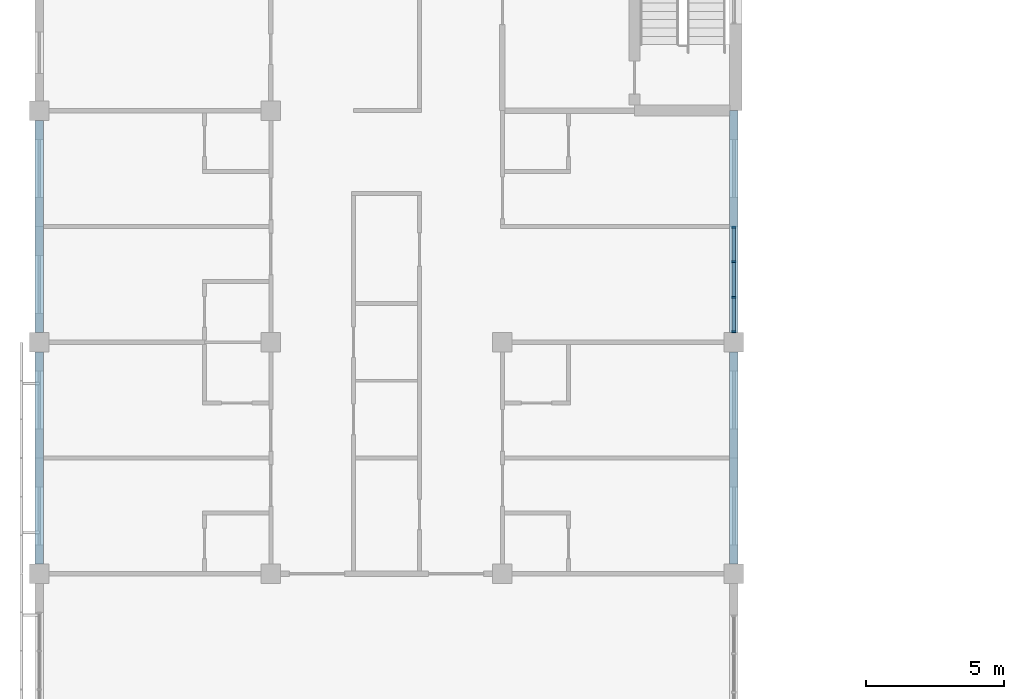
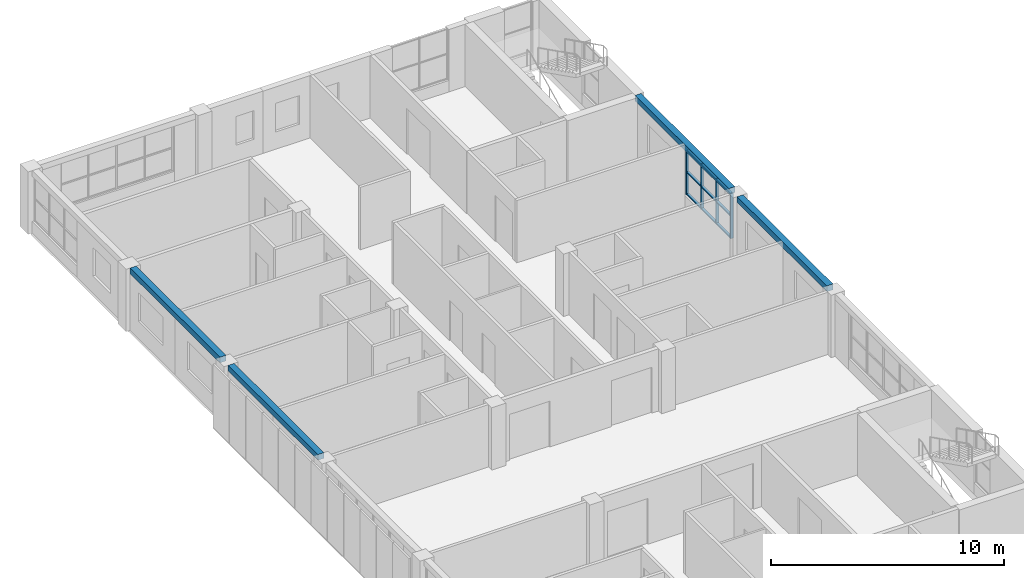
# One storey, part 17 of 61: 13 members, 4 beams, 1 element without a shape of its own.
"""IFC4 building model written with IfcOpenShell, lengths in metres."""

from ifc_helpers import new_model, si_unit, direction, frame, origin, origin_2d, place, context, subcontext, project, spatial, rectangle, extrude, material, material_profile, profile_set, type_object, element, aggregate, save


model = new_model("IFC4")

# Units and contexts
model_context = context("Model", 3, precision=1e-05, world=origin(), true_north=direction((0.0, 1.0)))
body_context = subcontext(model_context, "Body", "Model", "MODEL_VIEW")
ifc_project = project(units=[si_unit("LENGTHUNIT", "METRE"), si_unit("AREAUNIT", "SQUARE_METRE"), si_unit("VOLUMEUNIT", "CUBIC_METRE"), si_unit("PLANEANGLEUNIT", "RADIAN"), si_unit("MASSUNIT", "GRAM", prefix="KILO")], contexts=[model_context])

# Site, building, storey
site_placement = place(None, origin())
site = spatial("IfcSite", under=ifc_project, at=site_placement, CompositionType="ELEMENT")
building_placement = place(site_placement, origin())
building = spatial("IfcBuilding", under=site, at=building_placement, Name="Yavir Park General Hospital", CompositionType="ELEMENT")
storey_placement = place(building_placement, frame((0.0, 0.0, 15.300048828125)))
storey = spatial("IfcBuildingStorey", under=building, at=storey_placement, Name="L03", CompositionType="ELEMENT", Elevation=15.300048828125)

# Curtain wall, members
ifc_material_1 = material(Name="Aluminium curtain wall frame with insulated glazing", Category="aluminium")
curtain_wall_type = type_object("IfcCurtainWallType", Name="Day room pocket glazing, ward floors, 2360 high, 1400 module", PredefinedType="NOTDEFINED", material=ifc_material_1)
curtain_wall_placement = place(storey_placement, origin())
curtain_wall = element("IfcCurtainWall", 1, at=curtain_wall_placement, inside=storey, type_object=curtain_wall_type, Name="CW6 L03-027", PredefinedType="NOTDEFINED")
ifc_material_2 = material(Name="Aluminium", Category="aluminium")
ifc_material_profile_1 = material_profile(ifc_material_2, rectangle(XDim=0.139892578125, YDim=0.06005859375, at=origin_2d()), Name="AL 60x140")
ifc_profile_set_1 = profile_set([ifc_material_profile_1], Name="Aluminium")
member_type_1 = type_object("IfcMemberType", Name="Day room pocket glazing, ward floors, 2360 high mullion 60 x 140", PredefinedType="MULLION", material=ifc_profile_set_1)
member_1_placement = place(storey_placement, frame((25.199951171875, 101.179931640625, 0.599853515625), z_axis=(0.0, 0.0, 1.0), x_axis=(-1.0, 0.0, 0.0)))
member_1 = element("IfcMember", 2, at=member_1_placement, type_object=member_type_1, Name="CW6 mullion 1", PredefinedType="MULLION", context=body_context, shape_type="SweptSolid", body=[
    extrude(rectangle(XDim=0.139892578125, YDim=0.06005859375, at=origin_2d()), origin(), (0.0, 0.0, 1.0), 2.360107421875),
])
member_2_placement = place(storey_placement, frame((25.199951171875, 102.433349609375, 0.599853515625), z_axis=(0.0, 0.0, 1.0), x_axis=(-1.0, 0.0, 0.0)))
member_2 = element("IfcMember", 3, at=member_2_placement, type_object=member_type_1, Name="CW6 mullion 2", PredefinedType="MULLION", context=body_context, shape_type="SweptSolid", body=[
    extrude(rectangle(XDim=0.139892578125, YDim=0.06005859375, at=origin_2d()), origin(), (0.0, 0.0, 1.0), 2.360107421875),
])
member_3_placement = place(storey_placement, frame((25.199951171875, 103.716552734375, 0.599853515625), z_axis=(0.0, 0.0, 1.0), x_axis=(-1.0, 0.0, 0.0)))
member_3 = element("IfcMember", 4, at=member_3_placement, type_object=member_type_1, Name="CW6 mullion 3", PredefinedType="MULLION", context=body_context, shape_type="SweptSolid", body=[
    extrude(rectangle(XDim=0.139892578125, YDim=0.06005859375, at=origin_2d()), origin(), (0.0, 0.0, 1.0), 2.360107421875),
])
member_4_placement = place(storey_placement, frame((25.199951171875, 104.969970703125, 0.599853515625), z_axis=(0.0, 0.0, 1.0), x_axis=(-1.0, 0.0, 0.0)))
member_4 = element("IfcMember", 5, at=member_4_placement, type_object=member_type_1, Name="CW6 mullion 4", PredefinedType="MULLION", context=body_context, shape_type="SweptSolid", body=[
    extrude(rectangle(XDim=0.139892578125, YDim=0.06005859375, at=origin_2d()), origin(), (0.0, 0.0, 1.0), 2.360107421875),
])
ifc_material_3 = material(Name="Aluminium", Category="aluminium")
ifc_material_profile_2 = material_profile(ifc_material_3, rectangle(XDim=0.1201171875, YDim=0.06005859375, at=origin_2d()), Name="AL 120x60")
ifc_profile_set_2 = profile_set([ifc_material_profile_2], Name="Aluminium")
member_type_2 = type_object("IfcMemberType", Name="Day room pocket glazing, ward floors, 2360 high transom 60 x 120", PredefinedType="MULLION", material=ifc_profile_set_2)
member_5_placement = place(storey_placement, frame((25.199951171875, 101.2099609375, 0.6298828125), z_axis=(0.0, 1.0, 0.0), x_axis=(-1.0, 0.0, 0.0)))
member_5 = element("IfcMember", 6, at=member_5_placement, type_object=member_type_2, Name="CW6 transom 1.1", PredefinedType="MULLION", context=body_context, shape_type="SweptSolid", body=[
    extrude(rectangle(XDim=0.1201171875, YDim=0.06005859375, at=origin_2d()), origin(), (0.0, 0.0, 1.0), 1.193359375),
])
member_6_placement = place(storey_placement, frame((25.199951171875, 101.2099609375, 1.780029296875), z_axis=(0.0, 1.0, 0.0), x_axis=(-1.0, 0.0, 0.0)))
member_6 = element("IfcMember", 7, at=member_6_placement, type_object=member_type_2, Name="CW6 transom 1.2", PredefinedType="MULLION", context=body_context, shape_type="SweptSolid", body=[
    extrude(rectangle(XDim=0.1201171875, YDim=0.06005859375, at=origin_2d()), origin(), (0.0, 0.0, 1.0), 1.193359375),
])
member_7_placement = place(storey_placement, frame((25.199951171875, 101.2099609375, 2.929931640625), z_axis=(0.0, 1.0, 0.0), x_axis=(-1.0, 0.0, 0.0)))
member_7 = element("IfcMember", 8, at=member_7_placement, type_object=member_type_2, Name="CW6 transom 1.3", PredefinedType="MULLION", context=body_context, shape_type="SweptSolid", body=[
    extrude(rectangle(XDim=0.1201171875, YDim=0.06005859375, at=origin_2d()), origin(), (0.0, 0.0, 1.0), 1.193359375),
])
member_8_placement = place(storey_placement, frame((25.199951171875, 102.46337890625, 0.6298828125), z_axis=(0.0, 1.0, 0.0), x_axis=(-1.0, 0.0, 0.0)))
member_8 = element("IfcMember", 9, at=member_8_placement, type_object=member_type_2, Name="CW6 transom 2.1", PredefinedType="MULLION", context=body_context, shape_type="SweptSolid", body=[
    extrude(rectangle(XDim=0.1201171875, YDim=0.06005859375, at=origin_2d()), origin(), (0.0, 0.0, 1.0), 1.223388671875),
])
member_9_placement = place(storey_placement, frame((25.199951171875, 102.46337890625, 1.780029296875), z_axis=(0.0, 1.0, 0.0), x_axis=(-1.0, 0.0, 0.0)))
member_9 = element("IfcMember", 10, at=member_9_placement, type_object=member_type_2, Name="CW6 transom 2.2", PredefinedType="MULLION", context=body_context, shape_type="SweptSolid", body=[
    extrude(rectangle(XDim=0.1201171875, YDim=0.06005859375, at=origin_2d()), origin(), (0.0, 0.0, 1.0), 1.223388671875),
])
member_10_placement = place(storey_placement, frame((25.199951171875, 102.46337890625, 2.929931640625), z_axis=(0.0, 1.0, 0.0), x_axis=(-1.0, 0.0, 0.0)))
member_10 = element("IfcMember", 11, at=member_10_placement, type_object=member_type_2, Name="CW6 transom 2.3", PredefinedType="MULLION", context=body_context, shape_type="SweptSolid", body=[
    extrude(rectangle(XDim=0.1201171875, YDim=0.06005859375, at=origin_2d()), origin(), (0.0, 0.0, 1.0), 1.223388671875),
])
member_11_placement = place(storey_placement, frame((25.199951171875, 103.74658203125, 0.6298828125), z_axis=(0.0, 1.0, 0.0), x_axis=(-1.0, 0.0, 0.0)))
member_11 = element("IfcMember", 12, at=member_11_placement, type_object=member_type_2, Name="CW6 transom 3.1", PredefinedType="MULLION", context=body_context, shape_type="SweptSolid", body=[
    extrude(rectangle(XDim=0.1201171875, YDim=0.06005859375, at=origin_2d()), origin(), (0.0, 0.0, 1.0), 1.193359375),
])
member_12_placement = place(storey_placement, frame((25.199951171875, 103.74658203125, 1.780029296875), z_axis=(0.0, 1.0, 0.0), x_axis=(-1.0, 0.0, 0.0)))
member_12 = element("IfcMember", 13, at=member_12_placement, type_object=member_type_2, Name="CW6 transom 3.2", PredefinedType="MULLION", context=body_context, shape_type="SweptSolid", body=[
    extrude(rectangle(XDim=0.1201171875, YDim=0.06005859375, at=origin_2d()), origin(), (0.0, 0.0, 1.0), 1.193359375),
])
member_13_placement = place(storey_placement, frame((25.199951171875, 103.74658203125, 2.929931640625), z_axis=(0.0, 1.0, 0.0), x_axis=(-1.0, 0.0, 0.0)))
member_13 = element("IfcMember", 14, at=member_13_placement, type_object=member_type_2, Name="CW6 transom 3.3", PredefinedType="MULLION", context=body_context, shape_type="SweptSolid", body=[
    extrude(rectangle(XDim=0.1201171875, YDim=0.06005859375, at=origin_2d()), origin(), (0.0, 0.0, 1.0), 1.193359375),
])
aggregate(curtain_wall, [member_1, member_2, member_3, member_4, member_5, member_6, member_7, member_8, member_9, member_10, member_11, member_12, member_13])

# Beams
ifc_material_4 = material(Name="Concrete C35/45", Category="concrete")
ifc_material_profile_3 = material_profile(ifc_material_4, rectangle(XDim=0.300048828125, YDim=0.300048828125, at=origin_2d()), Name="RC300x300")
ifc_profile_set_3 = profile_set([ifc_material_profile_3], Name="Concrete C35/45")
beam_type = type_object("IfcBeamType", Name="RC BEAM 300x300 edge beam", PredefinedType="BEAM", material=ifc_profile_set_3)
beam_1_placement = place(storey_placement, frame((0.0, 92.75, 3.10986328125), z_axis=(0.0, 1.0, 0.0), x_axis=(-1.0, 0.0, 0.0)))
element("IfcBeam", 15, at=beam_1_placement, inside=storey, type_object=beam_type, Name="B:EDGE:L03:025", PredefinedType="BEAM", context=body_context, shape_type="SweptSolid", body=[
    extrude(rectangle(XDim=0.300048828125, YDim=0.300048828125, at=origin_2d()), origin(), (0.0, 0.0, 1.0), 7.699951171875),
])
beam_2_placement = place(storey_placement, frame((0.0, 101.14990234375, 3.10986328125), z_axis=(0.0, 1.0, 0.0), x_axis=(-1.0, 0.0, 0.0)))
element("IfcBeam", 16, at=beam_2_placement, inside=storey, type_object=beam_type, Name="B:EDGE:L03:026", PredefinedType="BEAM", context=body_context, shape_type="SweptSolid", body=[
    extrude(rectangle(XDim=0.300048828125, YDim=0.300048828125, at=origin_2d()), origin(), (0.0, 0.0, 1.0), 7.7001953125),
])
beam_3_placement = place(storey_placement, frame((25.199951171875, 92.75, 3.10986328125), z_axis=(0.0, 1.0, 0.0), x_axis=(-1.0, 0.0, 0.0)))
element("IfcBeam", 17, at=beam_3_placement, inside=storey, type_object=beam_type, Name="B:EDGE:L03:033", PredefinedType="BEAM", context=body_context, shape_type="SweptSolid", body=[
    extrude(rectangle(XDim=0.300048828125, YDim=0.300048828125, at=origin_2d()), origin(), (0.0, 0.0, 1.0), 7.699951171875),
])
beam_4_placement = place(storey_placement, frame((25.199951171875, 101.14990234375, 3.10986328125), z_axis=(0.0, 1.0, 0.0), x_axis=(-1.0, 0.0, 0.0)))
element("IfcBeam", 18, at=beam_4_placement, inside=storey, type_object=beam_type, Name="B:EDGE:L03:034", PredefinedType="BEAM", context=body_context, shape_type="SweptSolid", body=[
    extrude(rectangle(XDim=0.300048828125, YDim=0.300048828125, at=origin_2d()), origin(), (0.0, 0.0, 1.0), 8.050048828125),
])

save(model, "model.ifc")
